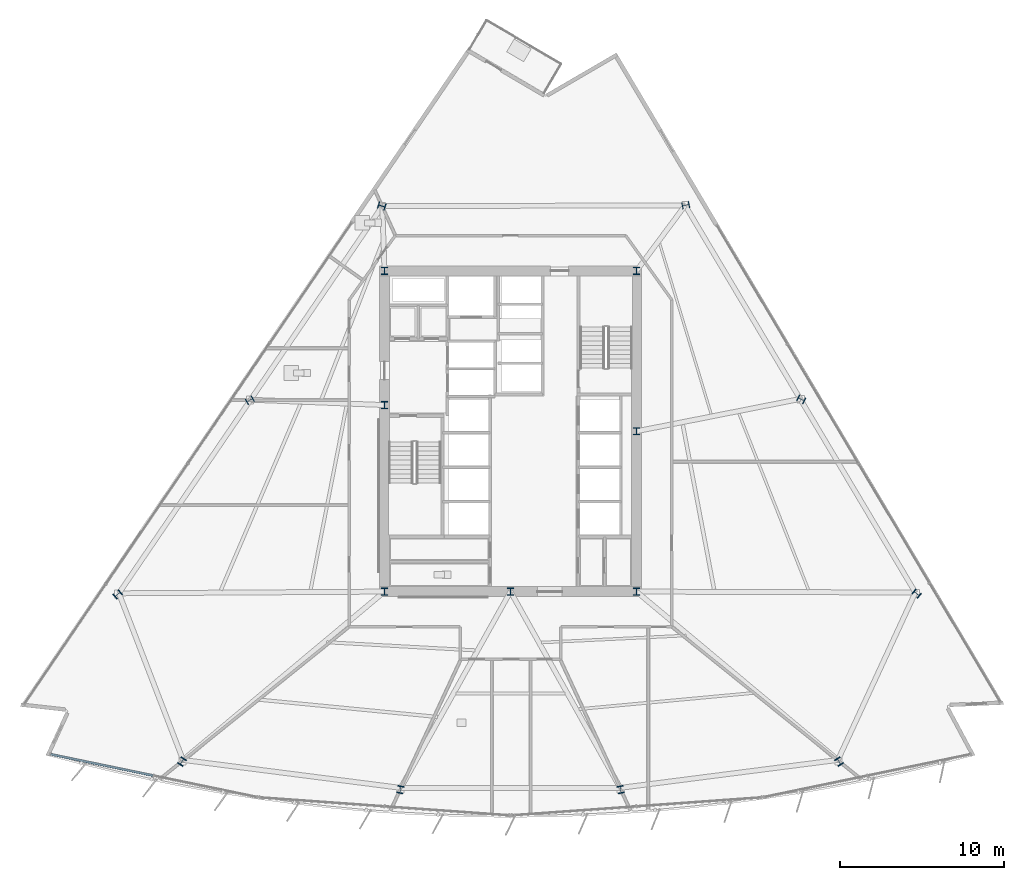
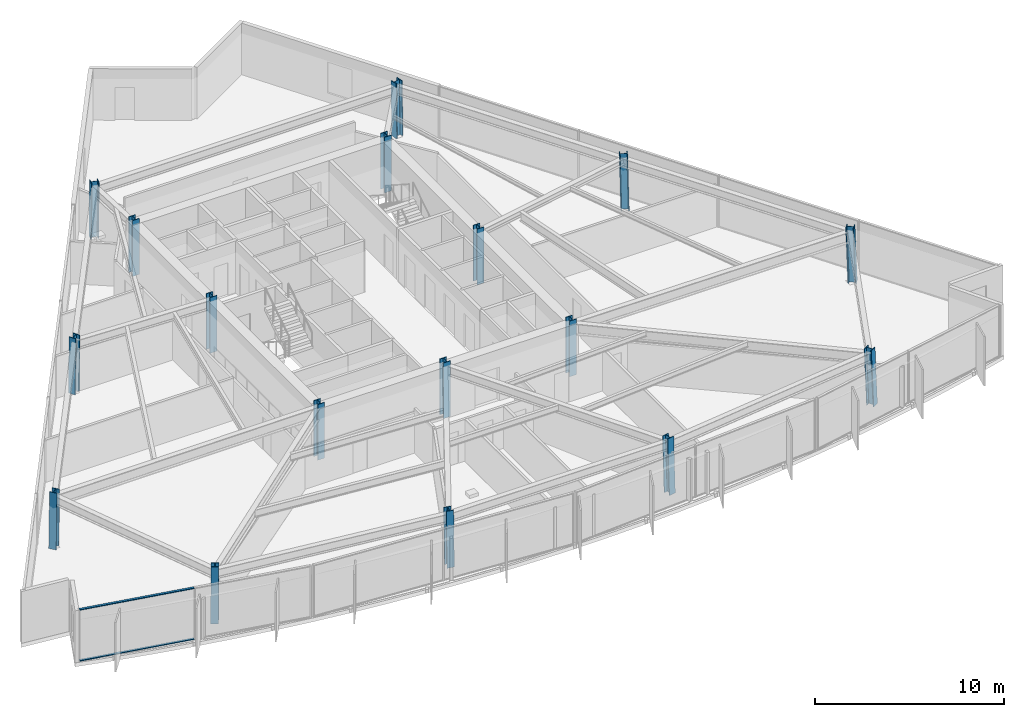
# One storey, part 1 of 18: 17 columns, 2 members, 1 element without a shape of its own.
"""IFC4 building model written with IfcOpenShell, lengths in metres."""

from ifc_helpers import new_model, si_unit, direction, frame, origin, origin_2d, place, context, subcontext, project, spatial, rectangle, i_section, extrude, material, material_profile, profile_set, type_object, element, aggregate, save


model = new_model("IFC4")

# Units and contexts
model_context = context("Model", 3, precision=1e-05, world=origin(), true_north=direction((0.0, 1.0)))
body_context = subcontext(model_context, "Body", "Model", "MODEL_VIEW")
ifc_project = project(units=[si_unit("LENGTHUNIT", "METRE"), si_unit("AREAUNIT", "SQUARE_METRE"), si_unit("VOLUMEUNIT", "CUBIC_METRE"), si_unit("PLANEANGLEUNIT", "RADIAN"), si_unit("MASSUNIT", "GRAM", prefix="KILO")], contexts=[model_context])

# Site, building, storey
site_placement = place(None, origin())
site = spatial("IfcSite", under=ifc_project, at=site_placement, CompositionType="ELEMENT")
building_placement = place(site_placement, origin())
building = spatial("IfcBuilding", under=site, at=building_placement, Name="Savorim Split Tower", CompositionType="ELEMENT")
storey_placement = place(building_placement, frame((0.0, 0.0, 40.800048828125)))
storey = spatial("IfcBuildingStorey", under=building, at=storey_placement, Name="L10", CompositionType="ELEMENT", Elevation=40.800048828125)

# Columns
ifc_material_1 = material(Name="Steel S460", Category="steel")
ifc_material_profile_1 = material_profile(ifc_material_1, i_section(OverallWidth=0.416015625, OverallDepth=0.446044921875, WebThickness=0.02490234375, FlangeThickness=0.0400390625, FilletRadius=0.014892578125, at=origin_2d()), Name="HD 400x509")
ifc_profile_set_1 = profile_set([ifc_material_profile_1], Name="Steel S460")
column_type = type_object("IfcColumnType", Name="COL-HD-509", PredefinedType="COLUMN", material=ifc_profile_set_1)
for number, where, z_axis, x_axis, name in (
    (1, (-7.699951171875, -9.39990234375, 0.0), (0.0, 0.0, 1.0), (1.0, 0.0, 0.0), "L10 Core Structural Column TC-C1"),
    (2, (7.699951171875, -9.39990234375, 0.0), (0.0, 0.0, 1.0), (1.0, 0.0, 0.0), "L10 Core Structural Column TC-C2"),
    (3, (7.699951171875, 10.199951171875, 0.0), (0.0, 0.0, 1.0), (1.0, 0.0, 0.0), "L10 Core Structural Column TC-C3"),
    (4, (-7.699951171875, 10.199951171875, 0.0), (0.0, 0.0, 1.0), (1.0, 0.0, 0.0), "L10 Core Structural Column TC-C4"),
    (5, (0.0, -9.39990234375, 0.0), (0.0, 0.0, 1.0), (1.0, 0.0, 0.0), "L10 Core Structural Column TC-C5"),
    (6, (7.699951171875, 0.39990234375, 0.0), (0.0, 0.0, 1.0), (1.0, 0.0, 0.0), "L10 Core Structural Column TC-C6"),
    (7, (-7.699951171875, 2.0, 0.0), (0.0, 0.0, 1.0), (1.0, 0.0, 0.0), "L10 Core Structural Column TC-C7"),
):
    element("IfcColumn", number, at=place(storey_placement, frame(where, z_axis=z_axis, x_axis=x_axis)), inside=storey, type_object=column_type, Name=name, PredefinedType="COLUMN", context=body_context, shape_type="SweptSolid", body=[
        extrude(i_section(OverallWidth=0.416015625, OverallDepth=0.446044921875, WebThickness=0.02490234375, FlangeThickness=0.0400390625, FilletRadius=0.014892578125, at=origin_2d()), origin(), (0.0, 0.0, 1.0), 3.599853515625),
    ])
column_1_placement = place(storey_placement, frame((-20.087890625, -19.810546875, 0.00537109375), z_axis=(0.021205716244, 0.034391321857, 0.999183443908), x_axis=(-0.851195920716, 0.524848077596, 0.0)))
element("IfcColumn", 8, at=column_1_placement, inside=storey, type_object=column_type, Name="L10 Tapered Perimeter Column PC-S1", PredefinedType="COLUMN", context=body_context, shape_type="SweptSolid", body=[
    extrude(i_section(OverallWidth=0.416015625, OverallDepth=0.446044921875, WebThickness=0.02490234375, FlangeThickness=0.0400390625, FilletRadius=0.014892578125, at=origin_2d()), origin(), (0.0, 0.0, 1.0), 3.592041015625),
])
for number, where, z_axis, x_axis, name in (
    (9, (-6.732421875, -21.525146484375, 0.00537109375), (0.007069526978, 0.036231325765, 0.999318424138), (-0.981490592026, 0.19151035942, 0.0), "L10 Tapered Perimeter Column PC-S2"),
    (10, (6.732421875, -21.525146484375, 0.00537109375), (-0.007069526978, 0.036231325765, 0.999318424138), (-0.981490592026, -0.19151035942, 0.0), "L10 Tapered Perimeter Column PC-S3"),
):
    element("IfcColumn", number, at=place(storey_placement, frame(where, z_axis=z_axis, x_axis=x_axis)), inside=storey, type_object=column_type, Name=name, PredefinedType="COLUMN", context=body_context, shape_type="SweptSolid", body=[
        extrude(i_section(OverallWidth=0.416015625, OverallDepth=0.446044921875, WebThickness=0.02490234375, FlangeThickness=0.0400390625, FilletRadius=0.014892578125, at=origin_2d()), origin(), (0.0, 0.0, 1.0), 3.591552734375),
    ])
column_2_placement = place(storey_placement, frame((20.087890625, -19.810546875, 0.00537109375), z_axis=(-0.021205716244, 0.034391321857, 0.999183443908), x_axis=(-0.851195920716, -0.524848077596, 0.0)))
element("IfcColumn", 11, at=column_2_placement, inside=storey, type_object=column_type, Name="L10 Tapered Perimeter Column PC-S4", PredefinedType="COLUMN", context=body_context, shape_type="SweptSolid", body=[
    extrude(i_section(OverallWidth=0.416015625, OverallDepth=0.446044921875, WebThickness=0.02490234375, FlangeThickness=0.0400390625, FilletRadius=0.014892578125, at=origin_2d()), origin(), (0.0, 0.0, 1.0), 3.592041015625),
])
column_3_placement = place(storey_placement, frame((24.838623046875, -9.53515625, 0.00537109375), z_axis=(-0.02685258958, 0.022229865298, 0.999392201051), x_axis=(-0.637687438134, -0.770295223434, 0.0)))
element("IfcColumn", 12, at=column_3_placement, inside=storey, type_object=column_type, Name="L10 Tapered Perimeter Column PC-E1", PredefinedType="COLUMN", context=body_context, shape_type="SweptSolid", body=[
    extrude(i_section(OverallWidth=0.416015625, OverallDepth=0.446044921875, WebThickness=0.02490234375, FlangeThickness=0.0400390625, FilletRadius=0.014892578125, at=origin_2d()), origin(), (0.0, 0.0, 1.0), 3.59130859375),
])
column_4_placement = place(storey_placement, frame((17.77783203125, 2.33935546875, 0.00537109375), z_axis=(-0.019449845701, 0.009792929304, 0.999762872904), x_axis=(-0.449710241045, -0.893174506521, 0.0)))
element("IfcColumn", 13, at=column_4_placement, inside=storey, type_object=column_type, Name="L10 Tapered Perimeter Column PC-E2", PredefinedType="COLUMN", context=body_context, shape_type="SweptSolid", body=[
    extrude(i_section(OverallWidth=0.416015625, OverallDepth=0.446044921875, WebThickness=0.02490234375, FlangeThickness=0.0400390625, FilletRadius=0.014892578125, at=origin_2d()), origin(), (0.0, 0.0, 1.0), 3.58984375),
])
for number, where, z_axis, x_axis, name in (
    (14, (10.716796875, 14.2138671875, 0.00537109375), (-0.012039084492, -0.002584662207, 0.999924187109), (0.209906311695, -0.977721504474, 0.0), "L10 Tapered Perimeter Column PC-E3"),
    (15, (-7.8662109375, 14.1650390625, 0.00537109375), (0.00911461711, -0.002584742166, 0.999955120424), (0.272824100275, 0.962063932548, 0.0), "L10 Tapered Perimeter Column PC-W1"),
):
    element("IfcColumn", number, at=place(storey_placement, frame(where, z_axis=z_axis, x_axis=x_axis)), inside=storey, type_object=column_type, Name=name, PredefinedType="COLUMN", context=body_context, shape_type="SweptSolid", body=[
        extrude(i_section(OverallWidth=0.416015625, OverallDepth=0.446044921875, WebThickness=0.02490234375, FlangeThickness=0.0400390625, FilletRadius=0.014892578125, at=origin_2d()), origin(), (0.0, 0.0, 1.0), 3.58935546875),
    ])
column_5_placement = place(storey_placement, frame((-15.944091796875, 2.29052734375, 0.00537109375), z_axis=(0.017478295015, 0.009793285923, 0.999799280233), x_axis=(-0.488810085697, 0.87239022239, 0.0)))
element("IfcColumn", 16, at=column_5_placement, inside=storey, type_object=column_type, Name="L10 Tapered Perimeter Column PC-W2", PredefinedType="COLUMN", context=body_context, shape_type="SweptSolid", body=[
    extrude(i_section(OverallWidth=0.416015625, OverallDepth=0.446044921875, WebThickness=0.02490234375, FlangeThickness=0.0400390625, FilletRadius=0.014892578125, at=origin_2d()), origin(), (0.0, 0.0, 1.0), 3.58984375),
])
column_6_placement = place(storey_placement, frame((-24.022216796875, -9.583984375, 0.00537109375), z_axis=(0.025969439617, 0.022230384175, 0.999415528309), x_axis=(-0.65029991508, 0.759677576638, 0.0)))
element("IfcColumn", 17, at=column_6_placement, inside=storey, type_object=column_type, Name="L10 Tapered Perimeter Column PC-W3", PredefinedType="COLUMN", context=body_context, shape_type="SweptSolid", body=[
    extrude(i_section(OverallWidth=0.416015625, OverallDepth=0.446044921875, WebThickness=0.02490234375, FlangeThickness=0.0400390625, FilletRadius=0.014892578125, at=origin_2d()), origin(), (0.0, 0.0, 1.0), 3.59130859375),
])

# Curtain wall, members
ifc_material_2 = material(Name="Dark Ceramic-Fritted Insulated Glass", Category="glass")
curtain_wall_type = type_object("IfcCurtainWallType", Name="CW-TWR-FRIT-A", PredefinedType="NOTDEFINED", material=ifc_material_2)
curtain_wall_placement = place(storey_placement, origin())
curtain_wall = element("IfcCurtainWall", 18, at=curtain_wall_placement, inside=storey, type_object=curtain_wall_type, Name="L10 Curtain Wall CW-L10-SF1", PredefinedType="NOTDEFINED")
ifc_material_3 = material(Name="Charcoal Anodised Aluminium", Category="aluminium")
ifc_material_profile_2 = material_profile(ifc_material_3, rectangle(XDim=0.139892578125, YDim=0.054931640625, at=origin_2d()), Name="ALU-T 140x55")
ifc_profile_set_2 = profile_set([ifc_material_profile_2], Name="Charcoal Anodised Aluminium")
member_type = type_object("IfcMemberType", Name="CWT-140x55", PredefinedType="USERDEFINED", material=ifc_profile_set_2)
member_1_placement = place(storey_placement, frame((-28.096435546875, -19.34033203125, 0.02734375), z_axis=(0.979132403047, -0.203223368003, 0.0), x_axis=(0.203223368003, 0.979132403047, 0.0)))
member_1 = element("IfcMember", 19, at=member_1_placement, type_object=member_type, Name="CW-02 transom 1.1", ObjectType="TRANSOM", PredefinedType="USERDEFINED", context=body_context, shape_type="SweptSolid", body=[
    extrude(rectangle(XDim=0.139892578125, YDim=0.054931640625, at=origin_2d()), origin(), (0.0, 0.0, 1.0), 6.389892578125),
])
member_2_placement = place(storey_placement, frame((-28.096435546875, -19.34033203125, 3.322509765625), z_axis=(0.979132403047, -0.203223368003, 0.0), x_axis=(0.203223368003, 0.979132403047, 0.0)))
member_2 = element("IfcMember", 20, at=member_2_placement, type_object=member_type, Name="CW-02 transom 1.2", ObjectType="TRANSOM", PredefinedType="USERDEFINED", context=body_context, shape_type="SweptSolid", body=[
    extrude(rectangle(XDim=0.139892578125, YDim=0.054931640625, at=origin_2d()), origin(), (0.0, 0.0, 1.0), 6.389892578125),
])
aggregate(curtain_wall, [member_1, member_2])

save(model, "model.ifc")
